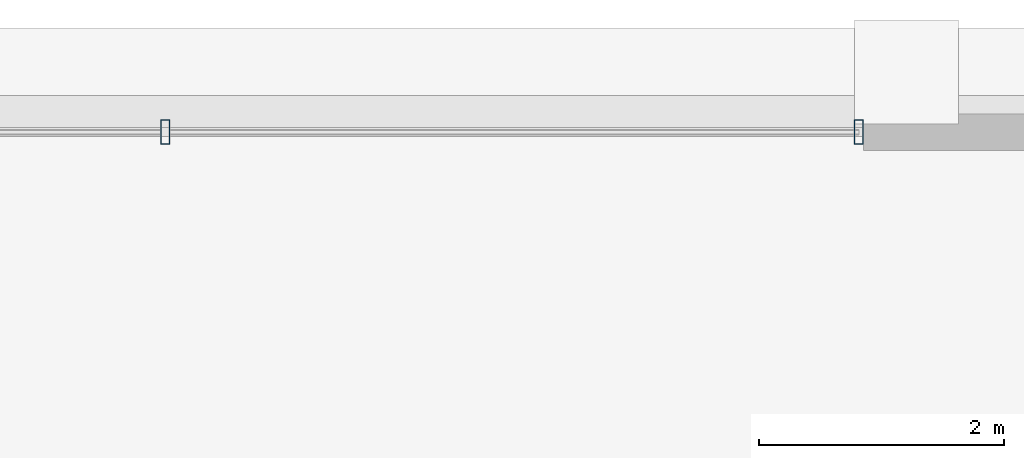
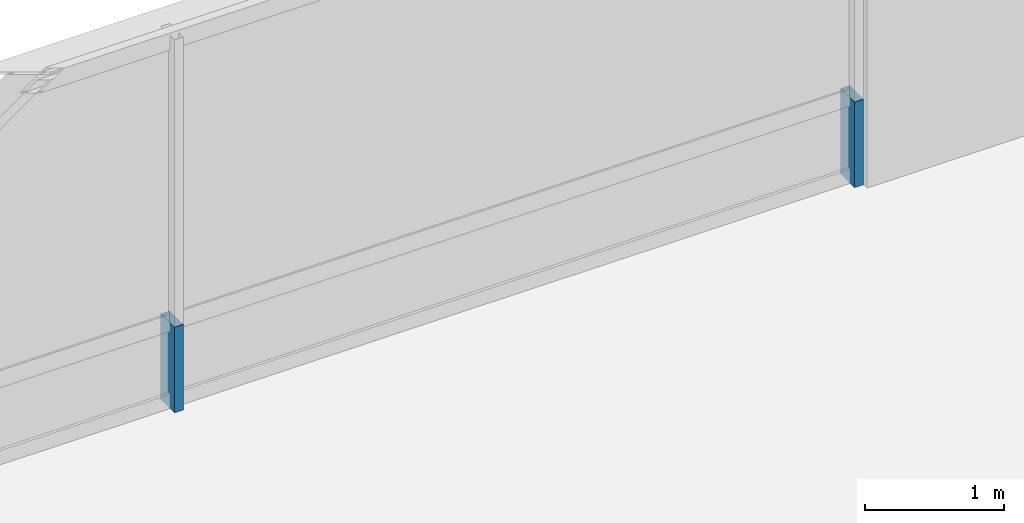
# One storey, part 28 of 34: 2 members, 1 element without a shape of its own.
"""IFC4 building model written with IfcOpenShell, lengths in metres."""

import ifcopenshell
import ifcopenshell.guid

model = None  # the IFC model being written
_history = None  # IfcOwnerHistory: only IFC2X3 demands one
_inside = {}  # id of a spatial element -> (the spatial element, [elements in it])
_under = {}  # id of a project, library or spatial element -> (it, [spatial elements below it])
_declared = {}  # id of a project -> (the project, [libraries it declares])
_typed = {}  # id of a type object -> (the type object, [elements of that type])
_made_of = {}  # id of a material, layer set ... -> (it, [elements and type objects made of it])


def new_model(schema):
    """Start an empty IFC model of exactly this schema.

    Asked for "IFC4X3", IfcOpenShell would pick the latest addendum, in which some entities
    have other attributes; the version numbers below select the first issue.
    IFC2X3 requires an IfcOwnerHistory on every rooted entity: one is made here for all.
    """
    global model, _history
    if schema == "IFC4X3":
        model = ifcopenshell.file(schema_version=(4, 3, 0, 0))
    else:
        model = ifcopenshell.file(schema=schema)
    _inside.clear()
    _under.clear()
    _declared.clear()
    _typed.clear()
    _made_of.clear()
    _history = None
    if model.schema == "IFC2X3":
        org = make("IfcOrganization", Name="unknown")
        user = make(
            "IfcPersonAndOrganization",
            ThePerson=make("IfcPerson", FamilyName="unknown"),
            TheOrganization=org,
        )
        app = make(
            "IfcApplication",
            ApplicationDeveloper=org,
            Version="unknown",
            ApplicationFullName="unknown",
            ApplicationIdentifier="unknown",
        )
        _history = make(
            "IfcOwnerHistory",
            OwningUser=user,
            OwningApplication=app,
            ChangeAction="ADDED",
            CreationDate=0,
        )
    return model


def make(cls, **values):
    """One entity of the class cls with the attributes given. An attribute that is None is left unset."""
    return model.create_entity(
        cls, **{name: value for name, value in values.items() if value is not None}
    )


def rooted(cls, **values):
    """An entity with a GlobalId (a new one), such as an element, a storey or a relation."""
    return make(cls, GlobalId=ifcopenshell.guid.new(), OwnerHistory=_history, **values)


def si_unit(unit_type, name, prefix=None):
    """IfcSIUnit, for example si_unit("LENGTHUNIT", "METRE", prefix="MILLI")."""
    return make("IfcSIUnit", UnitType=unit_type, Prefix=prefix, Name=name)


def assignment(units):
    """IfcUnitAssignment: the units of a project."""
    return None if units is None else make("IfcUnitAssignment", Units=units)


def point(xyz):
    """IfcCartesianPoint."""
    return None if xyz is None else make("IfcCartesianPoint", Coordinates=xyz)


def direction(xyz):
    """IfcDirection."""
    return None if xyz is None else make("IfcDirection", DirectionRatios=xyz)


def frame(location, z_axis=None, x_axis=None):
    """IfcAxis2Placement3D, a coordinate frame: its origin and axes. An axis left out is left unset."""
    return make(
        "IfcAxis2Placement3D",
        Location=point(location),
        Axis=direction(z_axis),
        RefDirection=direction(x_axis),
    )


def frame_2d(location, x_axis=None):
    """IfcAxis2Placement2D, a coordinate frame in the plane: its origin and x axis."""
    return make(
        "IfcAxis2Placement2D", Location=point(location), RefDirection=direction(x_axis)
    )


def origin():
    """The frame at (0, 0, 0) with its axes left unset."""
    return frame((0.0, 0.0, 0.0))


def origin_2d():
    """The frame at (0, 0) in the plane with its x axis left unset."""
    return frame_2d((0.0, 0.0))


def place(relative_to, where):
    """IfcLocalPlacement: puts the frame where relative to a parent placement (None: the world)."""
    return make(
        "IfcLocalPlacement", PlacementRelTo=relative_to, RelativePlacement=where
    )


def context(
    kind, dimensions, precision=None, world=None, true_north=None, identifier=None
):
    """IfcGeometricRepresentationContext, for example the 3D "Model" context."""
    return make(
        "IfcGeometricRepresentationContext",
        ContextIdentifier=identifier,
        ContextType=kind,
        CoordinateSpaceDimension=dimensions,
        Precision=precision,
        WorldCoordinateSystem=world,
        TrueNorth=true_north,
    )


def subcontext(parent, identifier, kind, view, scale=None):
    """IfcGeometricRepresentationSubContext, for example "Body" below "Model"."""
    return make(
        "IfcGeometricRepresentationSubContext",
        ContextIdentifier=identifier,
        ContextType=kind,
        ParentContext=parent,
        TargetScale=scale,
        TargetView=view,
    )


def project(units=None, contexts=None):
    """IfcProject with its units and contexts."""
    return rooted(
        "IfcProject",
        Name="project",
        RepresentationContexts=contexts,
        UnitsInContext=assignment(units),
    )


def spatial(cls, under=None, at=None, **own):
    """A site, building, storey or space (cls), placed at a placement, below another one or the project."""
    s = rooted(cls, ObjectPlacement=at, **own)
    if under is not None:
        _under.setdefault(under.id(), (under, []))[1].append(s)
    return s


def profile(cls, at=None, kind="AREA", **sizes):
    """A parametric profile (cls). Its sizes go by their IFC names, for example OverallWidth=200.0."""
    return make(cls, ProfileType=kind, Position=at, **sizes)


def hollow_rectangle(**sizes):
    """IfcRectangleHollowProfileDef."""
    return profile("IfcRectangleHollowProfileDef", **sizes)


def extrude(swept, where, along, depth):
    """IfcExtrudedAreaSolid: the profile swept, set in the frame where, extruded along a direction by depth."""
    return make(
        "IfcExtrudedAreaSolid",
        SweptArea=swept,
        Position=where,
        ExtrudedDirection=direction(along),
        Depth=depth,
    )


def shape(context_of_items, identifier, shape_type, items):
    """IfcShapeRepresentation: the items that make up one representation, for example the "Body"."""
    return make(
        "IfcShapeRepresentation",
        ContextOfItems=context_of_items,
        RepresentationIdentifier=identifier,
        RepresentationType=shape_type,
        Items=items,
    )


def source(mapping_origin, context_of_items, identifier, shape_type, items):
    """IfcRepresentationMap: a shape defined once, which mapped items show again and again."""
    return make(
        "IfcRepresentationMap",
        MappingOrigin=mapping_origin,
        MappedRepresentation=shape(context_of_items, identifier, shape_type, items),
    )


def transform(
    local_origin,
    x_axis=None,
    y_axis=None,
    z_axis=None,
    scale=None,
    scale2=None,
    scale3=None,
    uniform=True,
):
    """IfcCartesianTransformationOperator3D, or its non-uniform kind. x_axis, y_axis, z_axis: its Axis1, 2, 3."""
    if uniform:
        return make(
            "IfcCartesianTransformationOperator3D",
            Axis1=direction(x_axis),
            Axis2=direction(y_axis),
            LocalOrigin=point(local_origin),
            Scale=scale,
            Axis3=direction(z_axis),
        )
    return make(
        "IfcCartesianTransformationOperator3DnonUniform",
        Axis1=direction(x_axis),
        Axis2=direction(y_axis),
        LocalOrigin=point(local_origin),
        Scale=scale,
        Axis3=direction(z_axis),
        Scale2=scale2,
        Scale3=scale3,
    )


def mapped(mapping_source, mapping_target):
    """IfcMappedItem: shows the shape of a source again, moved by a transform."""
    return make(
        "IfcMappedItem", MappingSource=mapping_source, MappingTarget=mapping_target
    )


def material(Name=None, Category=None):
    """IfcMaterial."""
    return make("IfcMaterial", Name=Name, Category=Category)


def layer(
    of_material, thickness, ventilated=None, Name=None, Category=None, Priority=None
):
    """IfcMaterialLayer: one layer of a wall or slab, of a material (None: an air gap)."""
    return make(
        "IfcMaterialLayer",
        Material=of_material,
        LayerThickness=thickness,
        IsVentilated=ventilated,
        Name=Name,
        Category=Category,
        Priority=Priority,
    )


def layer_set(layers, Name=None):
    """IfcMaterialLayerSet."""
    return make("IfcMaterialLayerSet", MaterialLayers=layers, LayerSetName=Name)


def material_profile(
    of_material, cross_section, Name=None, Category=None, Priority=None
):
    """IfcMaterialProfile: a cross section and its material."""
    return make(
        "IfcMaterialProfile",
        Name=Name,
        Material=of_material,
        Profile=cross_section,
        Priority=Priority,
        Category=Category,
    )


def profile_set(profiles, Name=None, composite=None):
    """IfcMaterialProfileSet."""
    return make(
        "IfcMaterialProfileSet",
        Name=Name,
        MaterialProfiles=profiles,
        CompositeProfile=composite,
    )


def made_of(thing, what):
    """Note that an element or type object is made of a material, layer set ...; save() writes the relation."""
    if what is not None:
        _made_of.setdefault(what.id(), (what, []))[1].append(thing)
    return thing


def type_object(cls, material=None, **own):
    """A type object (cls), such as IfcWallType, which elements share."""
    return made_of(rooted(cls, **own), material)


def element(
    cls,
    number,
    at=None,
    inside=None,
    cuts=None,
    type_object=None,
    material=None,
    context=None,
    identifier="Body",
    shape_type=None,
    held_by="IfcProductDefinitionShape",
    body=None,
    shapes=None,
    **own,
):
    """One element of the class cls, such as IfcWall. Its Tag is "e" and its number.

    at: its placement. inside: the storey or other place that contains it. cuts: it is an
    opening in that element (IfcRelVoidsElement). A single representation is given by context,
    identifier, shape_type and body (its items); several are given by shapes. held_by: the class
    of the entity that holds the representations. save() writes the other relations.
    """
    e = rooted(cls, Tag="e%d" % number, ObjectPlacement=at, **own)
    if body is not None:
        shapes = [shape(context, identifier, shape_type, body)]
    if shapes is not None:
        e.Representation = make(held_by, Representations=shapes)
    if inside is not None:
        _inside.setdefault(inside.id(), (inside, []))[1].append(e)
    if cuts is not None:
        rooted(
            "IfcRelVoidsElement", RelatingBuildingElement=cuts, RelatedOpeningElement=e
        )
    if type_object is not None:
        _typed.setdefault(type_object.id(), (type_object, []))[1].append(e)
    return made_of(e, material)


def aggregate(whole, parts):
    """IfcRelAggregates: a whole, such as a stair, and the parts it consists of."""
    return rooted("IfcRelAggregates", RelatingObject=whole, RelatedObjects=parts)


def save(model, path):
    """Write the relations noted so far, then the file.

    IfcRelAggregates (storeys below a building ...), IfcRelContainedInSpatialStructure (elements
    in a storey), IfcRelDefinesByType, IfcRelAssociatesMaterial and IfcRelDeclares: one each for
    every whole, place, type object, material and project.
    """
    for whole, parts in _under.values():
        aggregate(whole, parts)
    for where, things in _inside.values():
        rooted(
            "IfcRelContainedInSpatialStructure",
            RelatedElements=things,
            RelatingStructure=where,
        )
    for kind, things in _typed.values():
        rooted("IfcRelDefinesByType", RelatedObjects=things, RelatingType=kind)
    for what, things in _made_of.values():
        rooted("IfcRelAssociatesMaterial", RelatedObjects=things, RelatingMaterial=what)
    for by, libraries in _declared.values():
        rooted("IfcRelDeclares", RelatingContext=by, RelatedDefinitions=libraries)
    model.write(path)


model = new_model("IFC4")

# Units and contexts
model_context = context("Model", 3, precision=1e-05, world=origin(), true_north=direction((0.0, 1.0)))
body_context = subcontext(model_context, "Body", "Model", "MODEL_VIEW")
ifc_project = project(units=[si_unit("LENGTHUNIT", "METRE"), si_unit("AREAUNIT", "SQUARE_METRE"), si_unit("VOLUMEUNIT", "CUBIC_METRE"), si_unit("PLANEANGLEUNIT", "RADIAN"), si_unit("MASSUNIT", "GRAM", prefix="KILO"), si_unit("THERMODYNAMICTEMPERATUREUNIT", "KELVIN"), si_unit("POWERUNIT", "WATT")], contexts=[model_context])

# Site, building, storey
site_placement = place(None, origin())
site = spatial("IfcSite", under=ifc_project, at=site_placement, CompositionType="ELEMENT")
building_placement = place(site_placement, origin())
building = spatial("IfcBuilding", under=site, at=building_placement, Name="Yuzanri Waterfront Tower", CompositionType="ELEMENT")
storey_placement = place(building_placement, frame((0.0, 0.0, 325.199951171875)))
storey = spatial("IfcBuildingStorey", under=building, at=storey_placement, Name="L87", CompositionType="ELEMENT", Elevation=325.199951171875)

# Curtain wall, members
ifc_material_1 = material(Name="Anodized Architectural Bronze", Category="metal")
ifc_layer = layer(ifc_material_1, 0.159912109375)
ifc_layer_set = layer_set([ifc_layer], Name="Anodized Architectural Bronze")
curtain_wall_type = type_object("IfcCurtainWallType", Name="Anodized Bronze High-Rise Penthouse High-Wind Unitized Curtain Wall 6900", PredefinedType="NOTDEFINED", material=ifc_layer_set)
curtain_wall_placement = place(storey_placement, origin())
curtain_wall = element("IfcCurtainWall", 1, at=curtain_wall_placement, inside=storey, type_object=curtain_wall_type, Name="L87 Curtain Wall CW-L87-NR", PredefinedType="NOTDEFINED")
ifc_material_2 = material(Name="Anodized Architectural Bronze", Category="metal")
ifc_material_profile = material_profile(ifc_material_2, hollow_rectangle(XDim=0.074951171875, YDim=0.199951171875, WallThickness=0.00390625, at=origin_2d()), Name="CWM 75x200")
ifc_profile_set = profile_set([ifc_material_profile], Name="Anodized Architectural Bronze")
member_type = type_object("IfcMemberType", Name="Anodized Bronze Primary Curtain-Wall Mullion 75x200", PredefinedType="MULLION", material=ifc_profile_set)
shared_shape = source(origin(), body_context, "Body", "SweptSolid", [
    extrude(hollow_rectangle(XDim=0.074951171875, YDim=0.199951171875, WallThickness=0.00390625, at=origin_2d()), origin(), (0.0, 0.0, 1.0), 0.751953125),
])
member_1_placement = place(storey_placement, frame((43.050048828125, 44.75, 0.0), z_axis=(0.0, 0.0, 1.0), x_axis=(1.0, 0.0, 0.0)))
member_1 = element("IfcMember", 2, at=member_1_placement, type_object=member_type, Name="CW-L87-NR Lower Mullion 01", PredefinedType="MULLION", context=body_context, shape_type="MappedRepresentation", body=[
    mapped(shared_shape, transform((0.0, 0.0, 0.0), scale=1.0)),
])
member_2_placement = place(storey_placement, frame((48.7099609375, 44.75, 0.0), z_axis=(0.0, 0.0, 1.0), x_axis=(1.0, 0.0, 0.0)))
member_2 = element("IfcMember", 3, at=member_2_placement, type_object=member_type, Name="CW-L87-NR Lower Mullion 02", PredefinedType="MULLION", context=body_context, shape_type="MappedRepresentation", body=[
    mapped(shared_shape, transform((0.0, 0.0, 0.0), scale=1.0)),
])
aggregate(curtain_wall, [member_1, member_2])

save(model, "model.ifc")
